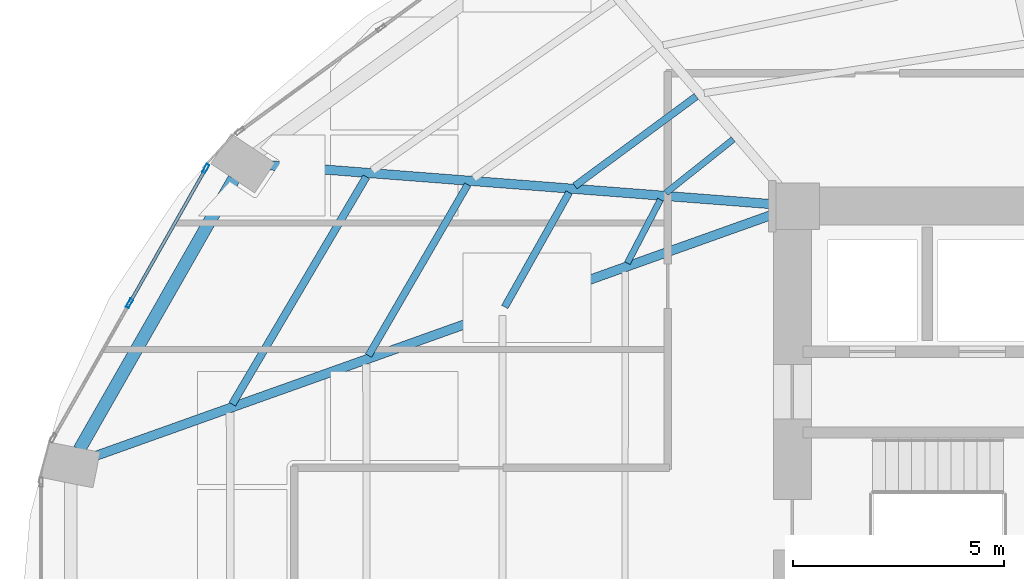
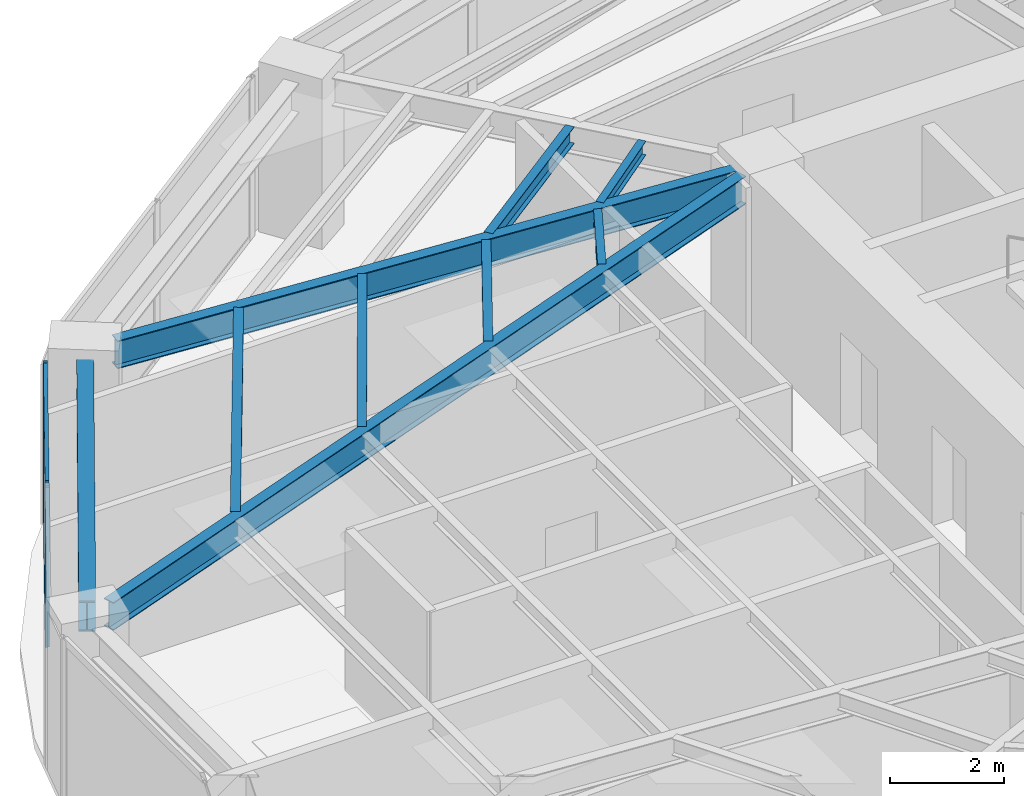
# One storey, part 8 of 24: 9 beams, 4 members, 1 element without a shape of its own.
"""IFC4 building model written with IfcOpenShell, lengths in metres."""

from ifc_helpers import new_model, si_unit, direction, frame, origin, origin_2d, place, context, subcontext, project, spatial, hollow_rectangle, i_section, extrude, material, layer, layer_set, material_profile, profile_set, type_object, element, aggregate, save


model = new_model("IFC4")

# Units and contexts
model_context = context("Model", 3, precision=1e-05, world=origin(), true_north=direction((0.0, 1.0)))
body_context = subcontext(model_context, "Body", "Model", "MODEL_VIEW")
ifc_project = project(units=[si_unit("LENGTHUNIT", "METRE"), si_unit("AREAUNIT", "SQUARE_METRE"), si_unit("VOLUMEUNIT", "CUBIC_METRE"), si_unit("PLANEANGLEUNIT", "RADIAN"), si_unit("MASSUNIT", "GRAM", prefix="KILO")], contexts=[model_context])

# Site, building, storey
site_placement = place(None, origin())
site = spatial("IfcSite", under=ifc_project, at=site_placement, CompositionType="ELEMENT")
building_placement = place(site_placement, origin())
building = spatial("IfcBuilding", under=site, at=building_placement, Name="Lazwardi Medical Tower", CompositionType="ELEMENT")
storey_placement = place(building_placement, frame((0.0, 0.0, 36.14404296875)))
storey = spatial("IfcBuildingStorey", under=building, at=storey_placement, Name="L08", CompositionType="ELEMENT", Elevation=36.14404296875)

# Beams
ifc_material_1 = material(Name="Steel S355", Category="steel")
ifc_material_profile_1 = material_profile(ifc_material_1, i_section(OverallWidth=0.300048828125, OverallDepth=0.64990234375, WebThickness=0.01611328125, FlangeThickness=0.031005859375, at=origin_2d()), Name="HEB 650")
ifc_profile_set_1 = profile_set([ifc_material_profile_1], Name="Steel S355")
beam_type_1 = type_object("IfcBeamType", Name="BM-RB-Z1", PredefinedType="BEAM", material=ifc_profile_set_1)
beam_1_placement = place(storey_placement, frame((13.072021484375, 36.24951171875, 3.10302734375), z_axis=(-0.495829348644, -0.868419977328, 0.0), x_axis=(0.868419977328, -0.495829348644, 0.0)))
element("IfcBeam", 1, at=beam_1_placement, inside=storey, type_object=beam_type_1, Name="Ring beam RB-02 B11 L08", PredefinedType="BEAM", context=body_context, shape_type="SweptSolid", body=[
    extrude(i_section(OverallWidth=0.300048828125, OverallDepth=0.64990234375, WebThickness=0.01611328125, FlangeThickness=0.031005859375, at=origin_2d()), origin(), (0.0, 0.0, 1.0), 7.38916015625),
])
ifc_material_profile_2 = material_profile(ifc_material_1, i_section(OverallWidth=0.219970703125, OverallDepth=0.60009765625, WebThickness=0.011962890625, FlangeThickness=0.01904296875, at=origin_2d()), Name="IPE 600")
ifc_profile_set_2 = profile_set([ifc_material_profile_2], Name="Steel S355")
beam_type_2 = type_object("IfcBeamType", Name="BM-RG-W1", PredefinedType="BEAM", material=ifc_profile_set_2)
beam_2_placement = place(storey_placement, frame((13.8583984375, 36.569580078125, 3.1279296875), z_axis=(0.997024241118, -0.077088667283, 0.0), x_axis=(0.077088667283, 0.997024241118, 0.0)))
element("IfcBeam", 2, at=beam_2_placement, inside=storey, type_object=beam_type_2, Name="Radial girder RG-02 R11 L08", PredefinedType="BEAM", context=body_context, shape_type="SweptSolid", body=[
    extrude(i_section(OverallWidth=0.219970703125, OverallDepth=0.60009765625, WebThickness=0.011962890625, FlangeThickness=0.01904296875, at=origin_2d()), origin(), (0.0, 0.0, 1.0), 12.044189453125),
])
beam_3_placement = place(storey_placement, frame((9.746337890625, 29.66259765625, 3.1279296875), z_axis=(0.941925080425, 0.335823082688, 0.0), x_axis=(-0.335823082688, 0.941925080425, 0.0)))
element("IfcBeam", 3, at=beam_3_placement, inside=storey, type_object=beam_type_2, Name="Radial girder RG-02 R12 L08", PredefinedType="BEAM", context=body_context, shape_type="SweptSolid", body=[
    extrude(i_section(OverallWidth=0.219970703125, OverallDepth=0.60009765625, WebThickness=0.011962890625, FlangeThickness=0.01904296875, at=origin_2d()), origin(), (0.0, 0.0, 1.0), 17.145263671875),
])
ifc_material_profile_3 = material_profile(ifc_material_1, i_section(OverallWidth=0.179931640625, OverallDepth=0.39990234375, WebThickness=0.008544921875, FlangeThickness=0.013427734375, at=origin_2d()), Name="IPE 400")
ifc_profile_set_3 = profile_set([ifc_material_profile_3], Name="Steel S355")
beam_type_3 = type_object("IfcBeamType", Name="BM-SJ-01", PredefinedType="JOIST", material=ifc_profile_set_3)
beam_4_placement = place(storey_placement, frame((16.206787109375, 36.29345703125, 3.22802734375), z_axis=(-0.507886270937, -0.861424132349, 0.0), x_axis=(0.861424132349, -0.507886270937, 0.0)))
element("IfcBeam", 4, at=beam_4_placement, inside=storey, type_object=beam_type_3, Name="Secondary joist SJ-01 R1 B11 L08", PredefinedType="JOIST", context=body_context, shape_type="SweptSolid", body=[
    extrude(i_section(OverallWidth=0.179931640625, OverallDepth=0.39990234375, WebThickness=0.008544921875, FlangeThickness=0.013427734375, at=origin_2d()), origin(), (0.0, 0.0, 1.0), 6.255859375),
])
ifc_material_profile_4 = material_profile(ifc_material_1, i_section(OverallWidth=0.169921875, OverallDepth=0.360107421875, WebThickness=0.008056640625, FlangeThickness=0.0126953125, at=origin_2d()), Name="IPE 360")
ifc_profile_set_4 = profile_set([ifc_material_profile_4], Name="Steel S355")
beam_type_4 = type_object("IfcBeamType", Name="BM-SJ-02", PredefinedType="JOIST", material=ifc_profile_set_4)
beam_5_placement = place(storey_placement, frame((18.60888671875, 36.107421875, 3.248046875), z_axis=(-0.501798442848, -0.86498457949, 0.0), x_axis=(0.86498457949, -0.501798442848, 0.0)))
element("IfcBeam", 5, at=beam_5_placement, inside=storey, type_object=beam_type_4, Name="Secondary joist SJ-02 R2 B11 L08", PredefinedType="JOIST", context=body_context, shape_type="SweptSolid", body=[
    extrude(i_section(OverallWidth=0.169921875, OverallDepth=0.360107421875, WebThickness=0.008056640625, FlangeThickness=0.0126953125, at=origin_2d()), origin(), (0.0, 0.0, 1.0), 4.683349609375),
])
beam_6_placement = place(storey_placement, frame((24.025146484375, 38.19873046875, 3.248046875), z_axis=(-0.804580292353, -0.593843879448, 0.0), x_axis=(0.593843879448, -0.804580292353, 0.0)))
element("IfcBeam", 6, at=beam_6_placement, inside=storey, type_object=beam_type_4, Name="Secondary joist SJ-02 R3 B10 L08", PredefinedType="JOIST", context=body_context, shape_type="SweptSolid", body=[
    extrude(i_section(OverallWidth=0.169921875, OverallDepth=0.360107421875, WebThickness=0.008056640625, FlangeThickness=0.0126953125, at=origin_2d()), origin(), (0.0, 0.0, 1.0), 3.576416015625),
])
beam_7_placement = place(storey_placement, frame((21.011962890625, 35.9208984375, 3.248046875), z_axis=(-0.489974339037, -0.87173685656, 0.0), x_axis=(0.87173685656, -0.489974339037, 0.0)))
element("IfcBeam", 7, at=beam_7_placement, inside=storey, type_object=beam_type_4, Name="Secondary joist SJ-02 R3 B11 L08", PredefinedType="JOIST", context=body_context, shape_type="SweptSolid", body=[
    extrude(i_section(OverallWidth=0.169921875, OverallDepth=0.360107421875, WebThickness=0.008056640625, FlangeThickness=0.0126953125, at=origin_2d()), origin(), (0.0, 0.0, 1.0), 3.111328125),
])
ifc_material_profile_5 = material_profile(ifc_material_1, i_section(OverallWidth=0.14990234375, OverallDepth=0.300048828125, WebThickness=0.007080078125, FlangeThickness=0.0107421875, at=origin_2d()), Name="IPE 300")
ifc_profile_set_5 = profile_set([ifc_material_profile_5], Name="Steel S355")
beam_type_5 = type_object("IfcBeamType", Name="BM-SJ-03", PredefinedType="JOIST", material=ifc_profile_set_5)
beam_8_placement = place(storey_placement, frame((24.901123046875, 37.1806640625, 3.278076171875), z_axis=(-0.782210957226, -0.623013658274, 0.0), x_axis=(0.623013658274, -0.782210957226, 0.0)))
element("IfcBeam", 8, at=beam_8_placement, inside=storey, type_object=beam_type_5, Name="Secondary joist SJ-03 R4 B10 L08", PredefinedType="JOIST", context=body_context, shape_type="SweptSolid", body=[
    extrude(i_section(OverallWidth=0.14990234375, OverallDepth=0.300048828125, WebThickness=0.007080078125, FlangeThickness=0.0107421875, at=origin_2d()), origin(), (0.0, 0.0, 1.0), 2.0380859375),
])
beam_9_placement = place(storey_placement, frame((23.17626953125, 35.752197265625, 3.278076171875), z_axis=(-0.462162985948, -0.88679500135, 0.0), x_axis=(0.88679500135, -0.462162985948, 0.0)))
element("IfcBeam", 9, at=beam_9_placement, inside=storey, type_object=beam_type_5, Name="Secondary joist SJ-03 R4 B11 L08", PredefinedType="JOIST", context=body_context, shape_type="SweptSolid", body=[
    extrude(i_section(OverallWidth=0.14990234375, OverallDepth=0.300048828125, WebThickness=0.007080078125, FlangeThickness=0.0107421875, at=origin_2d()), origin(), (0.0, 0.0, 1.0), 1.69775390625),
])

# Curtain wall, members
ifc_material_2 = material(Name="Anodised bronze aluminium and solar control glazing", Category="aluminium")
ifc_layer = layer(ifc_material_2, 0.199951171875)
ifc_layer_set = layer_set([ifc_layer], Name="Anodised bronze aluminium and solar control glazing")
curtain_wall_type = type_object("IfcCurtainWallType", Name="CW-SYS-02", PredefinedType="NOTDEFINED", material=ifc_layer_set)
curtain_wall_placement = place(storey_placement, origin())
curtain_wall = element("IfcCurtainWall", 10, at=curtain_wall_placement, inside=storey, type_object=curtain_wall_type, Name="L08 Unitised bronze curtain wall CW-02", PredefinedType="NOTDEFINED")
ifc_material_3 = material(Name="Anodised bronze aluminium", Category="aluminium")
ifc_material_profile_6 = material_profile(ifc_material_3, hollow_rectangle(XDim=0.074951171875, YDim=0.219970703125, WallThickness=0.00390625, at=origin_2d()), Name="ALU-MULLION 220x75x4")
ifc_profile_set_6 = profile_set([ifc_material_profile_6], Name="Anodised bronze aluminium")
member_type_1 = type_object("IfcMemberType", Name="CW-MUL-01", PredefinedType="MULLION", material=ifc_profile_set_6)
member_1_placement = place(storey_placement, frame((12.4033203125, 36.488525390625, 0.0), z_axis=(0.0, 0.0, 1.0), x_axis=(0.870111838823, -0.492854327303, 0.0)))
member_1 = element("IfcMember", 11, at=member_1_placement, type_object=member_type_1, Name="CW-02 mullion 1", PredefinedType="MULLION", context=body_context, shape_type="SweptSolid", body=[
    extrude(hollow_rectangle(XDim=0.074951171875, YDim=0.219970703125, WallThickness=0.00390625, at=origin_2d()), origin(), (0.0, 0.0, 1.0), 3.427978515625),
])
member_2_placement = place(storey_placement, frame((10.5947265625, 33.29541015625, 0.0), z_axis=(0.0, 0.0, 1.0), x_axis=(0.870111838823, -0.492854327303, 0.0)))
member_2 = element("IfcMember", 12, at=member_2_placement, type_object=member_type_1, Name="CW-02 mullion 2", PredefinedType="MULLION", context=body_context, shape_type="SweptSolid", body=[
    extrude(hollow_rectangle(XDim=0.074951171875, YDim=0.219970703125, WallThickness=0.00390625, at=origin_2d()), origin(), (0.0, 0.0, 1.0), 3.427978515625),
])
ifc_material_profile_7 = material_profile(ifc_material_3, hollow_rectangle(XDim=0.074951171875, YDim=0.159912109375, WallThickness=0.00390625, at=origin_2d()), Name="ALU-TRANSOM 160x75x4")
ifc_profile_set_7 = profile_set([ifc_material_profile_7], Name="Anodised bronze aluminium")
member_type_2 = type_object("IfcMemberType", Name="CW-TRN-01", PredefinedType="USERDEFINED", material=ifc_profile_set_7)
member_3_placement = place(storey_placement, frame((12.384765625, 36.4560546875, 0.037353515625), z_axis=(-0.49285148925, -0.870113446365, 0.0), x_axis=(0.870113446365, -0.49285148925, 0.0)))
member_3 = element("IfcMember", 13, at=member_3_placement, type_object=member_type_2, Name="CW-02 transom 1.1", ObjectType="TRANSOM", PredefinedType="USERDEFINED", context=body_context, shape_type="SweptSolid", body=[
    extrude(hollow_rectangle(XDim=0.074951171875, YDim=0.159912109375, WallThickness=0.00390625, at=origin_2d()), origin(), (0.0, 0.0, 1.0), 3.594970703125),
])
member_4_placement = place(storey_placement, frame((12.384765625, 36.4560546875, 3.390380859375), z_axis=(-0.49285148925, -0.870113446365, 0.0), x_axis=(0.870113446365, -0.49285148925, 0.0)))
member_4 = element("IfcMember", 14, at=member_4_placement, type_object=member_type_2, Name="CW-02 transom 1.2", ObjectType="TRANSOM", PredefinedType="USERDEFINED", context=body_context, shape_type="SweptSolid", body=[
    extrude(hollow_rectangle(XDim=0.074951171875, YDim=0.159912109375, WallThickness=0.00390625, at=origin_2d()), origin(), (0.0, 0.0, 1.0), 3.594970703125),
])
aggregate(curtain_wall, [member_1, member_2, member_3, member_4])

save(model, "model.ifc")
